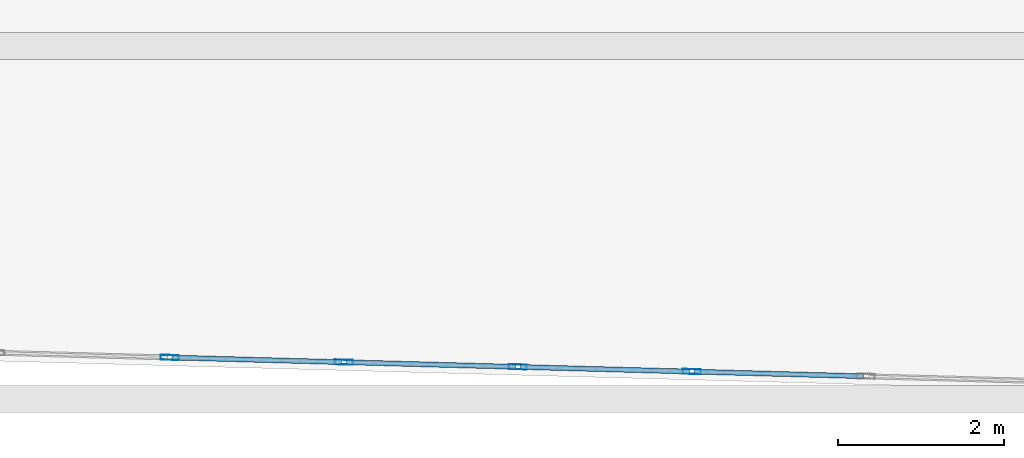
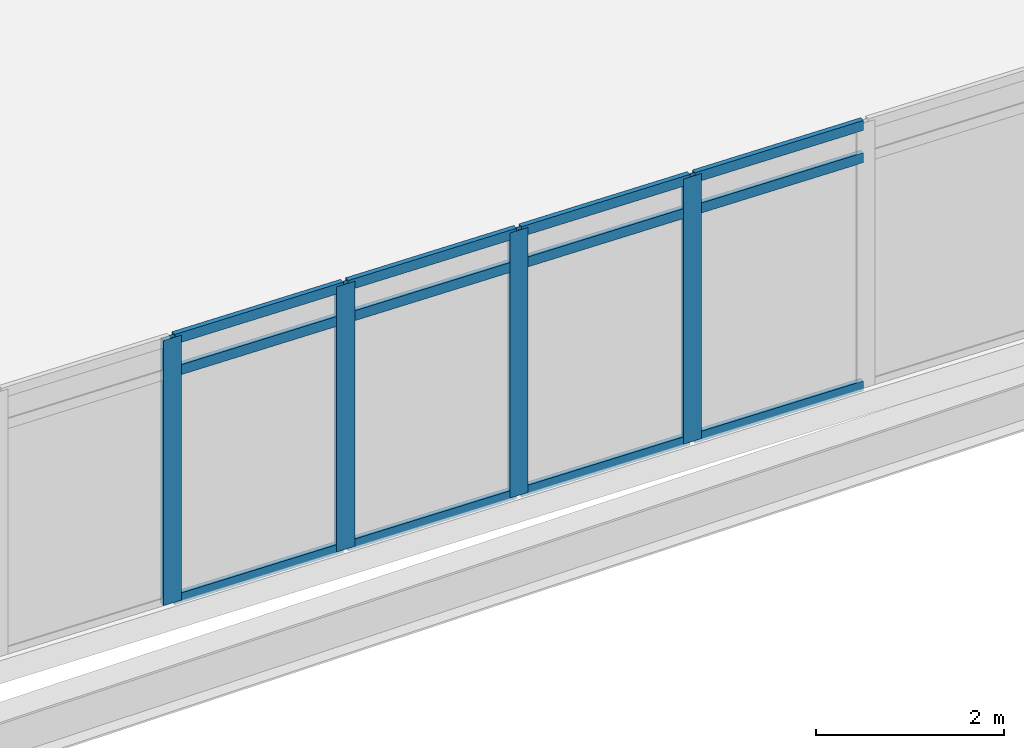
# One storey, part 5 of 35: 16 members, 1 element without a shape of its own.
"""IFC4 building model written with IfcOpenShell, lengths in metres."""

from ifc_helpers import new_model, si_unit, direction, frame, origin, origin_2d, place, context, subcontext, project, spatial, hollow_rectangle, extrude, material, material_profile, profile_set, type_object, element, aggregate, save


model = new_model("IFC4")

# Units and contexts
model_context = context("Model", 3, precision=1e-05, world=origin(), true_north=direction((0.0, 1.0)))
body_context = subcontext(model_context, "Body", "Model", "MODEL_VIEW")
ifc_project = project(units=[si_unit("LENGTHUNIT", "METRE"), si_unit("AREAUNIT", "SQUARE_METRE"), si_unit("VOLUMEUNIT", "CUBIC_METRE"), si_unit("PLANEANGLEUNIT", "RADIAN"), si_unit("MASSUNIT", "GRAM", prefix="KILO")], contexts=[model_context])

# Site, building, storey
site_placement = place(None, origin())
site = spatial("IfcSite", under=ifc_project, at=site_placement, CompositionType="ELEMENT")
building_placement = place(site_placement, origin())
building = spatial("IfcBuilding", under=site, at=building_placement, Name="Ostrander Bayou Hotel Tower", CompositionType="ELEMENT")
storey_placement = place(building_placement, frame((0.0, 0.0, 69.25)))
storey = spatial("IfcBuildingStorey", under=building, at=storey_placement, Name="L17", CompositionType="ELEMENT", Elevation=69.25)

# Curtain wall, members
ifc_material_1 = material(Name="Aluminium and clear glass", Category="aluminium")
curtain_wall_type = type_object("IfcCurtainWallType", Name="CW-BAR glazed wall", PredefinedType="NOTDEFINED", material=ifc_material_1)
curtain_wall_placement = place(storey_placement, origin())
curtain_wall = element("IfcCurtainWall", 1, at=curtain_wall_placement, inside=storey, type_object=curtain_wall_type, Name="CW-BAR L17:SB1S:T", PredefinedType="NOTDEFINED")
ifc_material_2 = material(Name="Aluminium", Category="aluminium")
ifc_material_profile_1 = material_profile(ifc_material_2, hollow_rectangle(XDim=0.06005859375, YDim=0.219970703125, WallThickness=0.00390625, at=origin_2d()))
ifc_profile_set_1 = profile_set([ifc_material_profile_1], Name="Aluminium")
member_type_1 = type_object("IfcMemberType", Name="CW-BR mullion 60 x 220 mm", PredefinedType="MULLION", material=ifc_profile_set_1)
member_1_placement = place(storey_placement, frame((0.0, -32.449951171875, 0.0), z_axis=(0.0, 0.0, 1.0), x_axis=(0.027042484848, 0.999634285133, 0.0)))
member_1 = element("IfcMember", 2, at=member_1_placement, type_object=member_type_1, Name="CW-BAR mullion 8", PredefinedType="MULLION", context=body_context, shape_type="SweptSolid", body=[
    extrude(hollow_rectangle(XDim=0.06005859375, YDim=0.219970703125, WallThickness=0.00390625, at=origin_2d()), origin(), (0.0, 0.0, 1.0), 3.449951171875),
])
member_2_placement = place(storey_placement, frame((2.101806640625, -32.5068359375, 0.0), z_axis=(0.0, 0.0, 1.0), x_axis=(0.027042484848, 0.999634285133, 0.0)))
member_2 = element("IfcMember", 3, at=member_2_placement, type_object=member_type_1, Name="CW-BAR mullion 9", PredefinedType="MULLION", context=body_context, shape_type="SweptSolid", body=[
    extrude(hollow_rectangle(XDim=0.06005859375, YDim=0.219970703125, WallThickness=0.00390625, at=origin_2d()), origin(), (0.0, 0.0, 1.0), 3.449951171875),
])
member_3_placement = place(storey_placement, frame((4.203369140625, -32.563720703125, 0.0), z_axis=(0.0, 0.0, 1.0), x_axis=(0.027042484848, 0.999634285133, 0.0)))
member_3 = element("IfcMember", 4, at=member_3_placement, type_object=member_type_1, Name="CW-BAR mullion 10", PredefinedType="MULLION", context=body_context, shape_type="SweptSolid", body=[
    extrude(hollow_rectangle(XDim=0.06005859375, YDim=0.219970703125, WallThickness=0.00390625, at=origin_2d()), origin(), (0.0, 0.0, 1.0), 3.449951171875),
])
member_4_placement = place(storey_placement, frame((6.30517578125, -32.62060546875, 0.0), z_axis=(0.0, 0.0, 1.0), x_axis=(0.027042484848, 0.999634285133, 0.0)))
member_4 = element("IfcMember", 5, at=member_4_placement, type_object=member_type_1, Name="CW-BAR mullion 11", PredefinedType="MULLION", context=body_context, shape_type="SweptSolid", body=[
    extrude(hollow_rectangle(XDim=0.06005859375, YDim=0.219970703125, WallThickness=0.00390625, at=origin_2d()), origin(), (0.0, 0.0, 1.0), 3.449951171875),
])
ifc_material_3 = material(Name="Aluminium", Category="aluminium")
ifc_material_profile_2 = material_profile(ifc_material_3, hollow_rectangle(XDim=0.06005859375, YDim=0.1298828125, WallThickness=0.00390625, at=origin_2d()))
ifc_profile_set_2 = profile_set([ifc_material_profile_2], Name="Aluminium")
member_type_2 = type_object("IfcMemberType", Name="CW-BR transom 60 x 130 mm", PredefinedType="USERDEFINED", material=ifc_profile_set_2)
member_5_placement = place(storey_placement, frame((0.030029296875, -32.450927734375, 0.030029296875), z_axis=(0.999635057116, -0.027013933147, 0.0), x_axis=(0.027013933147, 0.999635057116, 0.0)))
member_5 = element("IfcMember", 6, at=member_5_placement, type_object=member_type_2, Name="CW-BAR transom 8.1", ObjectType="TRANSOM", PredefinedType="USERDEFINED", context=body_context, shape_type="SweptSolid", body=[
    extrude(hollow_rectangle(XDim=0.06005859375, YDim=0.1298828125, WallThickness=0.00390625, at=origin_2d()), origin(), (0.0, 0.0, 1.0), 2.04248046875),
])
member_6_placement = place(storey_placement, frame((0.030029296875, -32.450927734375, 3.0), z_axis=(0.999635057116, -0.027013933147, 0.0), x_axis=(0.027013933147, 0.999635057116, 0.0)))
member_6 = element("IfcMember", 7, at=member_6_placement, type_object=member_type_2, Name="CW-BAR transom 8.2", ObjectType="TRANSOM", PredefinedType="USERDEFINED", context=body_context, shape_type="SweptSolid", body=[
    extrude(hollow_rectangle(XDim=0.06005859375, YDim=0.1298828125, WallThickness=0.00390625, at=origin_2d()), origin(), (0.0, 0.0, 1.0), 2.04248046875),
])
member_7_placement = place(storey_placement, frame((0.030029296875, -32.450927734375, 3.419921875), z_axis=(0.999635057116, -0.027013933147, 0.0), x_axis=(0.027013933147, 0.999635057116, 0.0)))
member_7 = element("IfcMember", 8, at=member_7_placement, type_object=member_type_2, Name="CW-BAR transom 8.3", ObjectType="TRANSOM", PredefinedType="USERDEFINED", context=body_context, shape_type="SweptSolid", body=[
    extrude(hollow_rectangle(XDim=0.06005859375, YDim=0.1298828125, WallThickness=0.00390625, at=origin_2d()), origin(), (0.0, 0.0, 1.0), 2.04248046875),
])
member_8_placement = place(storey_placement, frame((2.1318359375, -32.507568359375, 0.030029296875), z_axis=(0.999631822175, -0.027133376017, 0.0), x_axis=(0.027133376017, 0.999631822175, 0.0)))
member_8 = element("IfcMember", 9, at=member_8_placement, type_object=member_type_2, Name="CW-BAR transom 9.1", ObjectType="TRANSOM", PredefinedType="USERDEFINED", context=body_context, shape_type="SweptSolid", body=[
    extrude(hollow_rectangle(XDim=0.06005859375, YDim=0.1298828125, WallThickness=0.00390625, at=origin_2d()), origin(), (0.0, 0.0, 1.0), 2.04248046875),
])
member_9_placement = place(storey_placement, frame((2.1318359375, -32.507568359375, 3.0), z_axis=(0.999631822175, -0.027133376017, 0.0), x_axis=(0.027133376017, 0.999631822175, 0.0)))
member_9 = element("IfcMember", 10, at=member_9_placement, type_object=member_type_2, Name="CW-BAR transom 9.2", ObjectType="TRANSOM", PredefinedType="USERDEFINED", context=body_context, shape_type="SweptSolid", body=[
    extrude(hollow_rectangle(XDim=0.06005859375, YDim=0.1298828125, WallThickness=0.00390625, at=origin_2d()), origin(), (0.0, 0.0, 1.0), 2.04248046875),
])
member_10_placement = place(storey_placement, frame((2.1318359375, -32.507568359375, 3.419921875), z_axis=(0.999631822175, -0.027133376017, 0.0), x_axis=(0.027133376017, 0.999631822175, 0.0)))
member_10 = element("IfcMember", 11, at=member_10_placement, type_object=member_type_2, Name="CW-BAR transom 9.3", ObjectType="TRANSOM", PredefinedType="USERDEFINED", context=body_context, shape_type="SweptSolid", body=[
    extrude(hollow_rectangle(XDim=0.06005859375, YDim=0.1298828125, WallThickness=0.00390625, at=origin_2d()), origin(), (0.0, 0.0, 1.0), 2.04248046875),
])
member_11_placement = place(storey_placement, frame((4.2333984375, -32.564453125, 0.030029296875), z_axis=(0.999631822175, -0.027133376017, 0.0), x_axis=(0.027133376017, 0.999631822175, 0.0)))
member_11 = element("IfcMember", 12, at=member_11_placement, type_object=member_type_2, Name="CW-BAR transom 10.1", ObjectType="TRANSOM", PredefinedType="USERDEFINED", context=body_context, shape_type="SweptSolid", body=[
    extrude(hollow_rectangle(XDim=0.06005859375, YDim=0.1298828125, WallThickness=0.00390625, at=origin_2d()), origin(), (0.0, 0.0, 1.0), 2.04248046875),
])
member_12_placement = place(storey_placement, frame((4.2333984375, -32.564453125, 3.0), z_axis=(0.999631822175, -0.027133376017, 0.0), x_axis=(0.027133376017, 0.999631822175, 0.0)))
member_12 = element("IfcMember", 13, at=member_12_placement, type_object=member_type_2, Name="CW-BAR transom 10.2", ObjectType="TRANSOM", PredefinedType="USERDEFINED", context=body_context, shape_type="SweptSolid", body=[
    extrude(hollow_rectangle(XDim=0.06005859375, YDim=0.1298828125, WallThickness=0.00390625, at=origin_2d()), origin(), (0.0, 0.0, 1.0), 2.04248046875),
])
member_13_placement = place(storey_placement, frame((4.2333984375, -32.564453125, 3.419921875), z_axis=(0.999631822175, -0.027133376017, 0.0), x_axis=(0.027133376017, 0.999631822175, 0.0)))
member_13 = element("IfcMember", 14, at=member_13_placement, type_object=member_type_2, Name="CW-BAR transom 10.3", ObjectType="TRANSOM", PredefinedType="USERDEFINED", context=body_context, shape_type="SweptSolid", body=[
    extrude(hollow_rectangle(XDim=0.06005859375, YDim=0.1298828125, WallThickness=0.00390625, at=origin_2d()), origin(), (0.0, 0.0, 1.0), 2.04248046875),
])
member_14_placement = place(storey_placement, frame((6.335205078125, -32.621337890625, 0.030029296875), z_axis=(0.999635057116, -0.027013933147, 0.0), x_axis=(0.027013933147, 0.999635057116, 0.0)))
member_14 = element("IfcMember", 15, at=member_14_placement, type_object=member_type_2, Name="CW-BAR transom 11.1", ObjectType="TRANSOM", PredefinedType="USERDEFINED", context=body_context, shape_type="SweptSolid", body=[
    extrude(hollow_rectangle(XDim=0.06005859375, YDim=0.1298828125, WallThickness=0.00390625, at=origin_2d()), origin(), (0.0, 0.0, 1.0), 2.04248046875),
])
member_15_placement = place(storey_placement, frame((6.335205078125, -32.621337890625, 3.0), z_axis=(0.999635057116, -0.027013933147, 0.0), x_axis=(0.027013933147, 0.999635057116, 0.0)))
member_15 = element("IfcMember", 16, at=member_15_placement, type_object=member_type_2, Name="CW-BAR transom 11.2", ObjectType="TRANSOM", PredefinedType="USERDEFINED", context=body_context, shape_type="SweptSolid", body=[
    extrude(hollow_rectangle(XDim=0.06005859375, YDim=0.1298828125, WallThickness=0.00390625, at=origin_2d()), origin(), (0.0, 0.0, 1.0), 2.04248046875),
])
member_16_placement = place(storey_placement, frame((6.335205078125, -32.621337890625, 3.419921875), z_axis=(0.999635057116, -0.027013933147, 0.0), x_axis=(0.027013933147, 0.999635057116, 0.0)))
member_16 = element("IfcMember", 17, at=member_16_placement, type_object=member_type_2, Name="CW-BAR transom 11.3", ObjectType="TRANSOM", PredefinedType="USERDEFINED", context=body_context, shape_type="SweptSolid", body=[
    extrude(hollow_rectangle(XDim=0.06005859375, YDim=0.1298828125, WallThickness=0.00390625, at=origin_2d()), origin(), (0.0, 0.0, 1.0), 2.04248046875),
])
aggregate(curtain_wall, [member_1, member_2, member_3, member_4, member_5, member_6, member_7, member_8, member_9, member_10, member_11, member_12, member_13, member_14, member_15, member_16])

save(model, "model.ifc")
